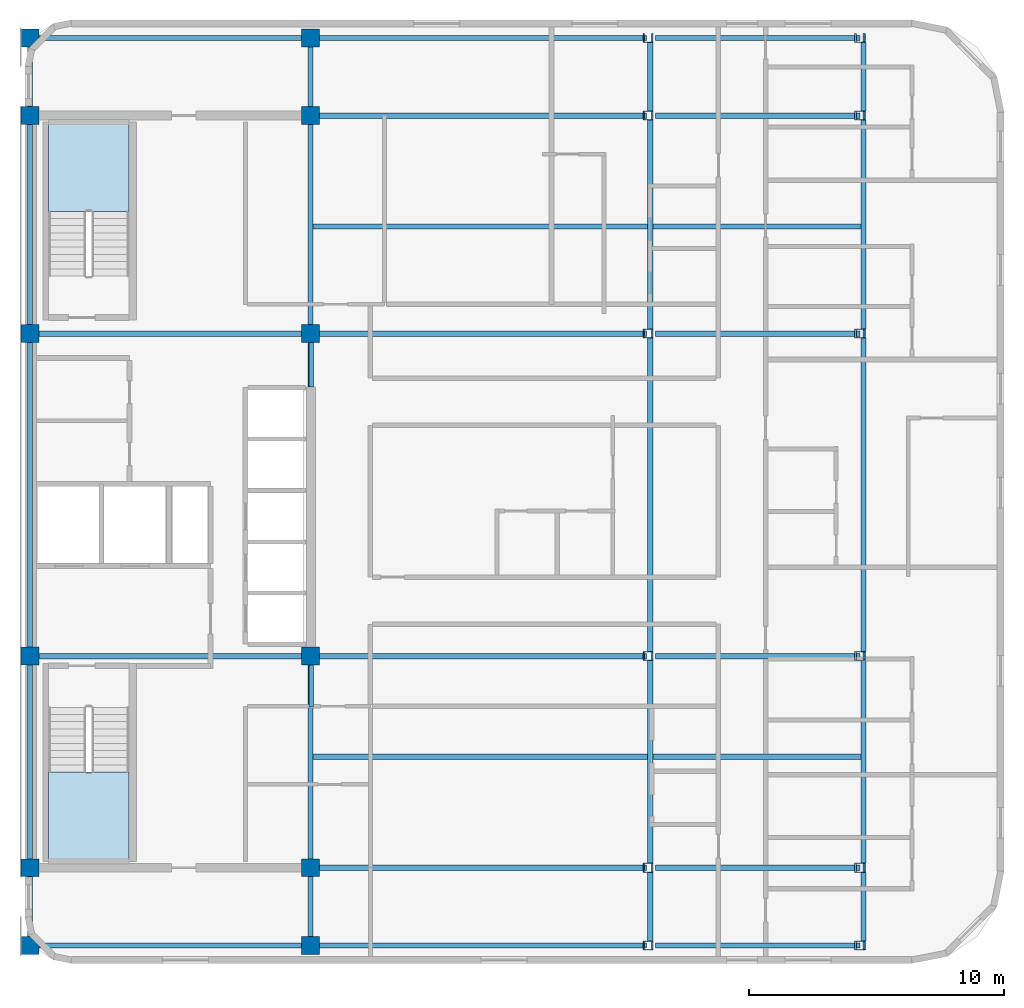
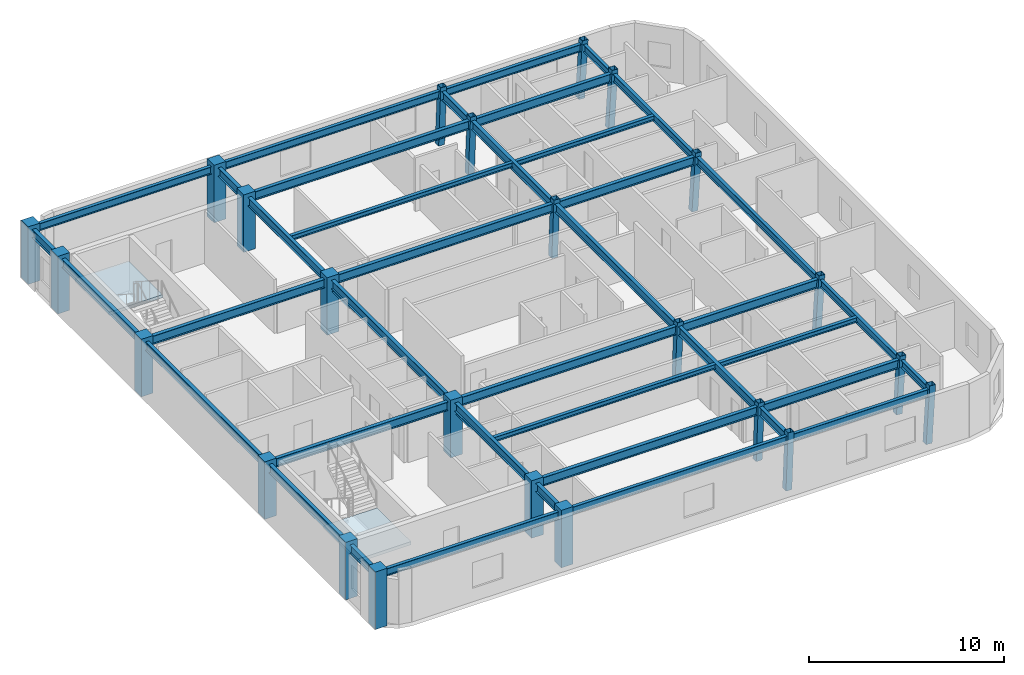
# One storey, part 1 of 7: 42 beams, 24 columns, 2 slabs, 2 elements without a shape of their own.
"""IFC4 building model written with IfcOpenShell, lengths in metres."""

from ifc_helpers import new_model, si_unit, direction, frame, origin, origin_2d, place, context, subcontext, project, spatial, polyline, rectangle, hollow_rectangle, i_section, outline, extrude, material, layer, layer_set, material_profile, profile_set, type_object, element, aggregate, save


model = new_model("IFC4")

# Units and contexts
model_context = context("Model", 3, precision=1e-05, world=origin(), true_north=direction((0.0, 1.0)))
body_context = subcontext(model_context, "Body", "Model", "MODEL_VIEW")
ifc_project = project(units=[si_unit("LENGTHUNIT", "METRE"), si_unit("AREAUNIT", "SQUARE_METRE"), si_unit("VOLUMEUNIT", "CUBIC_METRE"), si_unit("PLANEANGLEUNIT", "RADIAN"), si_unit("MASSUNIT", "GRAM", prefix="KILO")], contexts=[model_context])

# Site, building, storey
site_placement = place(None, origin())
site = spatial("IfcSite", under=ifc_project, at=site_placement, CompositionType="ELEMENT")
building_placement = place(site_placement, origin())
building = spatial("IfcBuilding", under=site, at=building_placement, Name="Ochreholt Gables", CompositionType="ELEMENT")
storey_placement = place(building_placement, frame((0.0, 0.0, 242.39990234375)))
storey = spatial("IfcBuildingStorey", under=building, at=storey_placement, Name="L63", CompositionType="ELEMENT", Elevation=242.39990234375)

# Columns
ifc_material_1 = material(Name="Steel CSA G40.21 350W", Category="steel")
ifc_material_profile_1 = material_profile(ifc_material_1, hollow_rectangle(XDim=0.35595703125, YDim=0.35595703125, WallThickness=0.01611328125, at=origin_2d()), Name="HSS356X356X16")
ifc_profile_set_1 = profile_set([ifc_material_profile_1], Name="Steel CSA G40.21 350W")
column_type_1 = type_object("IfcColumnType", Name="COL-HSS356-RAK", PredefinedType="COLUMN", material=ifc_profile_set_1)
for number, where, z_axis, x_axis, name in (
    (1, (48.419921875, 9.25, 0.0), (0.034971136209, 0.0, 0.999388322742), (0.0, 1.0, 0.0), "L63 Column EMY2"),
    (2, (48.419921875, 17.550048828125, 0.0), (0.034971136209, 0.0, 0.999388322742), (0.0, 1.0, 0.0), "L63 Column EMY3"),
    (3, (48.419921875, 30.199951171875, 0.0), (0.034971136209, 0.0, 0.999388322742), (0.0, 1.0, 0.0), "L63 Column EMY4"),
    (4, (48.419921875, 38.75, 0.0), (0.034971136209, 0.0, 0.999388322742), (0.0, 1.0, 0.0), "L63 Column EMY5"),
):
    element("IfcColumn", number, at=place(storey_placement, frame(where, z_axis=z_axis, x_axis=x_axis)), inside=storey, type_object=column_type_1, Name=name, PredefinedType="COLUMN", context=body_context, shape_type="SweptSolid", body=[
        extrude(hollow_rectangle(XDim=0.35595703125, YDim=0.35595703125, WallThickness=0.01611328125, at=origin_2d()), origin(), (0.0, 0.0, 1.0), 3.602294921875),
    ])
ifc_material_profile_2 = material_profile(ifc_material_1, hollow_rectangle(XDim=0.35595703125, YDim=0.35595703125, WallThickness=0.01611328125, at=origin_2d()), Name="HSS356X356X16")
ifc_profile_set_2 = profile_set([ifc_material_profile_2], Name="Steel CSA G40.21 350W")
column_type_2 = type_object("IfcColumnType", Name="COL-HSS356-RAKE", PredefinedType="COLUMN", material=ifc_profile_set_2)
for number, where, z_axis, x_axis, name in (
    (5, (48.419921875, 6.199951171875, 0.0), (0.034971136209, 0.0, 0.999388322742), (0.0, 1.0, 0.0), "L63 Column EMY1"),
    (6, (48.419921875, 41.800048828125, 0.0), (0.034971136209, 0.0, 0.999388322742), (0.0, 1.0, 0.0), "L63 Column EMY6"),
):
    element("IfcColumn", number, at=place(storey_placement, frame(where, z_axis=z_axis, x_axis=x_axis)), inside=storey, type_object=column_type_2, Name=name, PredefinedType="COLUMN", context=body_context, shape_type="SweptSolid", body=[
        extrude(hollow_rectangle(XDim=0.35595703125, YDim=0.35595703125, WallThickness=0.01611328125, at=origin_2d()), origin(), (0.0, 0.0, 1.0), 3.602294921875),
    ])
for number, where, z_axis, x_axis, name in (
    (7, (56.716064453125, 6.199951171875, 0.0), (0.057884606321, 0.0, 0.998323280481), (0.0, 1.0, 0.0), "L63 Column EEY1"),
    (8, (56.716064453125, 9.25, 0.0), (0.057884606321, 0.0, 0.998323280481), (0.0, 1.0, 0.0), "L63 Column EEY2"),
    (9, (56.716064453125, 17.550048828125, 0.0), (0.057884606321, 0.0, 0.998323280481), (0.0, 1.0, 0.0), "L63 Column EEY3"),
    (10, (56.716064453125, 30.199951171875, 0.0), (0.057884606321, 0.0, 0.998323280481), (0.0, 1.0, 0.0), "L63 Column EEY4"),
    (11, (56.716064453125, 38.75, 0.0), (0.057884606321, 0.0, 0.998323280481), (0.0, 1.0, 0.0), "L63 Column EEY5"),
    (12, (56.716064453125, 41.800048828125, 0.0), (0.057884606321, 0.0, 0.998323280481), (0.0, 1.0, 0.0), "L63 Column EEY6"),
):
    element("IfcColumn", number, at=place(storey_placement, frame(where, z_axis=z_axis, x_axis=x_axis)), inside=storey, type_object=column_type_2, Name=name, PredefinedType="COLUMN", context=body_context, shape_type="SweptSolid", body=[
        extrude(hollow_rectangle(XDim=0.35595703125, YDim=0.35595703125, WallThickness=0.01611328125, at=origin_2d()), origin(), (0.0, 0.0, 1.0), 3.606201171875),
    ])
ifc_material_2 = material(Name="Concrete 50 MPa", Category="concrete")
ifc_material_profile_3 = material_profile(ifc_material_2, rectangle(XDim=0.699951171875, YDim=0.699951171875, at=origin_2d()), Name="RC700X700")
ifc_profile_set_3 = profile_set([ifc_material_profile_3], Name="Concrete 50 MPa")
column_type_3 = type_object("IfcColumnType", Name="COL-RC700-EXT", PredefinedType="COLUMN", material=ifc_profile_set_3)
for number, where, z_axis, x_axis, name in (
    (13, (24.199951171875, 6.199951171875, 0.0), (0.0, 0.0, 1.0), (1.0, 0.0, 0.0), "L63 Column C1Y1"),
    (14, (24.199951171875, 9.25, 0.0), (0.0, 0.0, 1.0), (1.0, 0.0, 0.0), "L63 Column C1Y2"),
    (15, (24.199951171875, 17.550048828125, 0.0), (0.0, 0.0, 1.0), (1.0, 0.0, 0.0), "L63 Column C1Y3"),
    (16, (24.199951171875, 30.199951171875, 0.0), (0.0, 0.0, 1.0), (1.0, 0.0, 0.0), "L63 Column C1Y4"),
    (17, (24.199951171875, 38.75, 0.0), (0.0, 0.0, 1.0), (1.0, 0.0, 0.0), "L63 Column C1Y5"),
    (18, (24.199951171875, 41.800048828125, 0.0), (0.0, 0.0, 1.0), (1.0, 0.0, 0.0), "L63 Column C1Y6"),
    (19, (35.199951171875, 6.199951171875, 0.0), (0.0, 0.0, 1.0), (1.0, 0.0, 0.0), "L63 Column C2Y1"),
    (20, (35.199951171875, 41.800048828125, 0.0), (0.0, 0.0, 1.0), (1.0, 0.0, 0.0), "L63 Column C2Y6"),
):
    element("IfcColumn", number, at=place(storey_placement, frame(where, z_axis=z_axis, x_axis=x_axis)), inside=storey, type_object=column_type_3, Name=name, PredefinedType="COLUMN", context=body_context, shape_type="SweptSolid", body=[
        extrude(rectangle(XDim=0.699951171875, YDim=0.699951171875, at=origin_2d()), origin(), (0.0, 0.0, 1.0), 3.60009765625),
    ])
ifc_material_profile_4 = material_profile(ifc_material_2, rectangle(XDim=0.699951171875, YDim=0.699951171875, at=origin_2d()), Name="RC700X700")
ifc_profile_set_4 = profile_set([ifc_material_profile_4], Name="Concrete 50 MPa")
column_type_4 = type_object("IfcColumnType", Name="COL-RC700-INT", PredefinedType="COLUMN", material=ifc_profile_set_4)
for number, where, z_axis, x_axis, name in (
    (21, (35.199951171875, 9.25, 0.0), (0.0, 0.0, 1.0), (1.0, 0.0, 0.0), "L63 Column C2Y2"),
    (22, (35.199951171875, 17.550048828125, 0.0), (0.0, 0.0, 1.0), (1.0, 0.0, 0.0), "L63 Column C2Y3"),
    (23, (35.199951171875, 30.199951171875, 0.0), (0.0, 0.0, 1.0), (1.0, 0.0, 0.0), "L63 Column C2Y4"),
    (24, (35.199951171875, 38.75, 0.0), (0.0, 0.0, 1.0), (1.0, 0.0, 0.0), "L63 Column C2Y5"),
):
    element("IfcColumn", number, at=place(storey_placement, frame(where, z_axis=z_axis, x_axis=x_axis)), inside=storey, type_object=column_type_4, Name=name, PredefinedType="COLUMN", context=body_context, shape_type="SweptSolid", body=[
        extrude(rectangle(XDim=0.699951171875, YDim=0.699951171875, at=origin_2d()), origin(), (0.0, 0.0, 1.0), 3.60009765625),
    ])

# Beams
ifc_material_profile_5 = material_profile(ifc_material_1, i_section(OverallWidth=0.2109375, OverallDepth=0.5390625, WebThickness=0.01171875, FlangeThickness=0.018798828125, at=origin_2d()), Name="W530X109")
ifc_profile_set_5 = profile_set([ifc_material_profile_5], Name="Steel CSA G40.21 350W")
beam_type_1 = type_object("IfcBeamType", Name="BM-G-W530A", PredefinedType="BEAM", material=ifc_profile_set_5)
beam_1_placement = place(storey_placement, frame((35.549560546875, 9.25, 3.090576171875), z_axis=(1.0, 0.0, 0.0), x_axis=(0.0, 1.0, 0.0)))
element("IfcBeam", 25, at=beam_1_placement, inside=storey, type_object=beam_type_1, Name="L63 Beam TBG-L63-C2EM-Y2", PredefinedType="BEAM", context=body_context, shape_type="SweptSolid", body=[
    extrude(i_section(OverallWidth=0.2109375, OverallDepth=0.5390625, WebThickness=0.01171875, FlangeThickness=0.018798828125, at=origin_2d()), origin(), (0.0, 0.0, 1.0), 12.81884765625),
])
beam_2_placement = place(storey_placement, frame((48.7236328125, 9.25, 3.090576171875), z_axis=(1.0, 0.0, 0.0), x_axis=(0.0, 1.0, 0.0)))
element("IfcBeam", 26, at=beam_2_placement, inside=storey, type_object=beam_type_1, Name="L63 Beam TBG-L63-EMEE-Y2", PredefinedType="BEAM", context=body_context, shape_type="SweptSolid", body=[
    extrude(i_section(OverallWidth=0.2109375, OverallDepth=0.5390625, WebThickness=0.01171875, FlangeThickness=0.018798828125, at=origin_2d()), origin(), (0.0, 0.0, 1.0), 8.023681640625),
])
beam_3_placement = place(storey_placement, frame((24.549560546875, 17.550048828125, 3.090576171875), z_axis=(1.0, 0.0, 0.0), x_axis=(0.0, 1.0, 0.0)))
element("IfcBeam", 27, at=beam_3_placement, inside=storey, type_object=beam_type_1, Name="L63 Beam TBG-L63-C1C2-Y3", PredefinedType="BEAM", context=body_context, shape_type="SweptSolid", body=[
    extrude(i_section(OverallWidth=0.2109375, OverallDepth=0.5390625, WebThickness=0.01171875, FlangeThickness=0.018798828125, at=origin_2d()), origin(), (0.0, 0.0, 1.0), 10.30078125),
])
beam_4_placement = place(storey_placement, frame((35.549560546875, 17.550048828125, 3.090576171875), z_axis=(1.0, 0.0, 0.0), x_axis=(0.0, 1.0, 0.0)))
element("IfcBeam", 28, at=beam_4_placement, inside=storey, type_object=beam_type_1, Name="L63 Beam TBG-L63-C2EM-Y3", PredefinedType="BEAM", context=body_context, shape_type="SweptSolid", body=[
    extrude(i_section(OverallWidth=0.2109375, OverallDepth=0.5390625, WebThickness=0.01171875, FlangeThickness=0.018798828125, at=origin_2d()), origin(), (0.0, 0.0, 1.0), 12.81884765625),
])
beam_5_placement = place(storey_placement, frame((48.7236328125, 17.550048828125, 3.090576171875), z_axis=(1.0, 0.0, 0.0), x_axis=(0.0, 1.0, 0.0)))
element("IfcBeam", 29, at=beam_5_placement, inside=storey, type_object=beam_type_1, Name="L63 Beam TBG-L63-EMEE-Y3", PredefinedType="BEAM", context=body_context, shape_type="SweptSolid", body=[
    extrude(i_section(OverallWidth=0.2109375, OverallDepth=0.5390625, WebThickness=0.01171875, FlangeThickness=0.018798828125, at=origin_2d()), origin(), (0.0, 0.0, 1.0), 8.023681640625),
])
beam_6_placement = place(storey_placement, frame((24.549560546875, 30.199951171875, 3.090576171875), z_axis=(1.0, 0.0, 0.0), x_axis=(0.0, 1.0, 0.0)))
element("IfcBeam", 30, at=beam_6_placement, inside=storey, type_object=beam_type_1, Name="L63 Beam TBG-L63-C1C2-Y4", PredefinedType="BEAM", context=body_context, shape_type="SweptSolid", body=[
    extrude(i_section(OverallWidth=0.2109375, OverallDepth=0.5390625, WebThickness=0.01171875, FlangeThickness=0.018798828125, at=origin_2d()), origin(), (0.0, 0.0, 1.0), 10.30078125),
])
beam_7_placement = place(storey_placement, frame((35.549560546875, 30.199951171875, 3.090576171875), z_axis=(1.0, 0.0, 0.0), x_axis=(0.0, 1.0, 0.0)))
element("IfcBeam", 31, at=beam_7_placement, inside=storey, type_object=beam_type_1, Name="L63 Beam TBG-L63-C2EM-Y4", PredefinedType="BEAM", context=body_context, shape_type="SweptSolid", body=[
    extrude(i_section(OverallWidth=0.2109375, OverallDepth=0.5390625, WebThickness=0.01171875, FlangeThickness=0.018798828125, at=origin_2d()), origin(), (0.0, 0.0, 1.0), 12.81884765625),
])
beam_8_placement = place(storey_placement, frame((48.7236328125, 30.199951171875, 3.090576171875), z_axis=(1.0, 0.0, 0.0), x_axis=(0.0, 1.0, 0.0)))
element("IfcBeam", 32, at=beam_8_placement, inside=storey, type_object=beam_type_1, Name="L63 Beam TBG-L63-EMEE-Y4", PredefinedType="BEAM", context=body_context, shape_type="SweptSolid", body=[
    extrude(i_section(OverallWidth=0.2109375, OverallDepth=0.5390625, WebThickness=0.01171875, FlangeThickness=0.018798828125, at=origin_2d()), origin(), (0.0, 0.0, 1.0), 8.023681640625),
])
beam_9_placement = place(storey_placement, frame((35.549560546875, 38.75, 3.090576171875), z_axis=(1.0, 0.0, 0.0), x_axis=(0.0, 1.0, 0.0)))
element("IfcBeam", 33, at=beam_9_placement, inside=storey, type_object=beam_type_1, Name="L63 Beam TBG-L63-C2EM-Y5", PredefinedType="BEAM", context=body_context, shape_type="SweptSolid", body=[
    extrude(i_section(OverallWidth=0.2109375, OverallDepth=0.5390625, WebThickness=0.01171875, FlangeThickness=0.018798828125, at=origin_2d()), origin(), (0.0, 0.0, 1.0), 12.81884765625),
])
beam_10_placement = place(storey_placement, frame((48.7236328125, 38.75, 3.090576171875), z_axis=(1.0, 0.0, 0.0), x_axis=(0.0, 1.0, 0.0)))
element("IfcBeam", 34, at=beam_10_placement, inside=storey, type_object=beam_type_1, Name="L63 Beam TBG-L63-EMEE-Y5", PredefinedType="BEAM", context=body_context, shape_type="SweptSolid", body=[
    extrude(i_section(OverallWidth=0.2109375, OverallDepth=0.5390625, WebThickness=0.01171875, FlangeThickness=0.018798828125, at=origin_2d()), origin(), (0.0, 0.0, 1.0), 8.023681640625),
])
beam_11_placement = place(storey_placement, frame((24.199951171875, 6.549560546875, 3.090576171875), z_axis=(0.0, 1.0, 0.0), x_axis=(-1.0, 0.0, 0.0)))
element("IfcBeam", 35, at=beam_11_placement, inside=storey, type_object=beam_type_1, Name="L63 Beam TBN-L63-C1-Y1Y2", PredefinedType="BEAM", context=body_context, shape_type="SweptSolid", body=[
    extrude(i_section(OverallWidth=0.2109375, OverallDepth=0.5390625, WebThickness=0.01171875, FlangeThickness=0.018798828125, at=origin_2d()), origin(), (0.0, 0.0, 1.0), 2.350830078125),
])
beam_12_placement = place(storey_placement, frame((24.199951171875, 9.599609375, 3.090576171875), z_axis=(0.0, 1.0, 0.0), x_axis=(-1.0, 0.0, 0.0)))
element("IfcBeam", 36, at=beam_12_placement, inside=storey, type_object=beam_type_1, Name="L63 Beam TBN-L63-C1-Y2Y3", PredefinedType="BEAM", context=body_context, shape_type="SweptSolid", body=[
    extrude(i_section(OverallWidth=0.2109375, OverallDepth=0.5390625, WebThickness=0.01171875, FlangeThickness=0.018798828125, at=origin_2d()), origin(), (0.0, 0.0, 1.0), 7.600830078125),
])
beam_13_placement = place(storey_placement, frame((24.199951171875, 17.899658203125, 3.090576171875), z_axis=(0.0, 1.0, 0.0), x_axis=(-1.0, 0.0, 0.0)))
element("IfcBeam", 37, at=beam_13_placement, inside=storey, type_object=beam_type_1, Name="L63 Beam TBN-L63-C1-Y3Y4", PredefinedType="BEAM", context=body_context, shape_type="SweptSolid", body=[
    extrude(i_section(OverallWidth=0.2109375, OverallDepth=0.5390625, WebThickness=0.01171875, FlangeThickness=0.018798828125, at=origin_2d()), origin(), (0.0, 0.0, 1.0), 11.95068359375),
])
beam_14_placement = place(storey_placement, frame((24.199951171875, 30.549560546875, 3.090576171875), z_axis=(0.0, 1.0, 0.0), x_axis=(-1.0, 0.0, 0.0)))
element("IfcBeam", 38, at=beam_14_placement, inside=storey, type_object=beam_type_1, Name="L63 Beam TBN-L63-C1-Y4Y5", PredefinedType="BEAM", context=body_context, shape_type="SweptSolid", body=[
    extrude(i_section(OverallWidth=0.2109375, OverallDepth=0.5390625, WebThickness=0.01171875, FlangeThickness=0.018798828125, at=origin_2d()), origin(), (0.0, 0.0, 1.0), 7.850830078125),
])
for number, where, z_axis, x_axis, name in (
    (39, (24.199951171875, 39.099609375, 3.090576171875), (0.0, 1.0, 0.0), (-1.0, 0.0, 0.0), "L63 Beam TBN-L63-C1-Y5Y6"),
    (40, (35.199951171875, 6.549560546875, 3.090576171875), (0.0, 1.0, 0.0), (-1.0, 0.0, 0.0), "L63 Beam TBN-L63-C2-Y1Y2"),
):
    element("IfcBeam", number, at=place(storey_placement, frame(where, z_axis=z_axis, x_axis=x_axis)), inside=storey, type_object=beam_type_1, Name=name, PredefinedType="BEAM", context=body_context, shape_type="SweptSolid", body=[
        extrude(i_section(OverallWidth=0.2109375, OverallDepth=0.5390625, WebThickness=0.01171875, FlangeThickness=0.018798828125, at=origin_2d()), origin(), (0.0, 0.0, 1.0), 2.350830078125),
    ])
beam_15_placement = place(storey_placement, frame((35.199951171875, 9.599609375, 3.090576171875), z_axis=(0.0, 1.0, 0.0), x_axis=(-1.0, 0.0, 0.0)))
element("IfcBeam", 41, at=beam_15_placement, inside=storey, type_object=beam_type_1, Name="L63 Beam TBN-L63-C2-Y2Y3", PredefinedType="BEAM", context=body_context, shape_type="SweptSolid", body=[
    extrude(i_section(OverallWidth=0.2109375, OverallDepth=0.5390625, WebThickness=0.01171875, FlangeThickness=0.018798828125, at=origin_2d()), origin(), (0.0, 0.0, 1.0), 7.600830078125),
])
beam_16_placement = place(storey_placement, frame((35.199951171875, 17.899658203125, 3.090576171875), z_axis=(0.0, 1.0, 0.0), x_axis=(-1.0, 0.0, 0.0)))
element("IfcBeam", 42, at=beam_16_placement, inside=storey, type_object=beam_type_1, Name="L63 Beam TBN-L63-C2-Y3Y4", PredefinedType="BEAM", context=body_context, shape_type="SweptSolid", body=[
    extrude(i_section(OverallWidth=0.2109375, OverallDepth=0.5390625, WebThickness=0.01171875, FlangeThickness=0.018798828125, at=origin_2d()), origin(), (0.0, 0.0, 1.0), 11.95068359375),
])
beam_17_placement = place(storey_placement, frame((35.199951171875, 30.549560546875, 3.090576171875), z_axis=(0.0, 1.0, 0.0), x_axis=(-1.0, 0.0, 0.0)))
element("IfcBeam", 43, at=beam_17_placement, inside=storey, type_object=beam_type_1, Name="L63 Beam TBN-L63-C2-Y4Y5", PredefinedType="BEAM", context=body_context, shape_type="SweptSolid", body=[
    extrude(i_section(OverallWidth=0.2109375, OverallDepth=0.5390625, WebThickness=0.01171875, FlangeThickness=0.018798828125, at=origin_2d()), origin(), (0.0, 0.0, 1.0), 7.850830078125),
])
beam_18_placement = place(storey_placement, frame((35.199951171875, 39.099609375, 3.090576171875), z_axis=(0.0, 1.0, 0.0), x_axis=(-1.0, 0.0, 0.0)))
element("IfcBeam", 44, at=beam_18_placement, inside=storey, type_object=beam_type_1, Name="L63 Beam TBN-L63-C2-Y5Y6", PredefinedType="BEAM", context=body_context, shape_type="SweptSolid", body=[
    extrude(i_section(OverallWidth=0.2109375, OverallDepth=0.5390625, WebThickness=0.01171875, FlangeThickness=0.018798828125, at=origin_2d()), origin(), (0.0, 0.0, 1.0), 2.350830078125),
])
beam_19_placement = place(storey_placement, frame((48.52880859375, 6.377685546875, 3.090576171875), z_axis=(0.0, 1.0, 0.0), x_axis=(-1.0, 0.0, 0.0)))
element("IfcBeam", 45, at=beam_19_placement, inside=storey, type_object=beam_type_1, Name="L63 Beam TBN-L63-EM-Y1Y2", PredefinedType="BEAM", context=body_context, shape_type="SweptSolid", body=[
    extrude(i_section(OverallWidth=0.2109375, OverallDepth=0.5390625, WebThickness=0.01171875, FlangeThickness=0.018798828125, at=origin_2d()), origin(), (0.0, 0.0, 1.0), 2.69482421875),
])
beam_20_placement = place(storey_placement, frame((48.52880859375, 9.427490234375, 3.090576171875), z_axis=(0.0, 1.0, 0.0), x_axis=(-1.0, 0.0, 0.0)))
element("IfcBeam", 46, at=beam_20_placement, inside=storey, type_object=beam_type_1, Name="L63 Beam TBN-L63-EM-Y2Y3", PredefinedType="BEAM", context=body_context, shape_type="SweptSolid", body=[
    extrude(i_section(OverallWidth=0.2109375, OverallDepth=0.5390625, WebThickness=0.01171875, FlangeThickness=0.018798828125, at=origin_2d()), origin(), (0.0, 0.0, 1.0), 7.94482421875),
])
beam_21_placement = place(storey_placement, frame((48.52880859375, 17.7275390625, 3.090576171875), z_axis=(0.0, 1.0, 0.0), x_axis=(-1.0, 0.0, 0.0)))
element("IfcBeam", 47, at=beam_21_placement, inside=storey, type_object=beam_type_1, Name="L63 Beam TBN-L63-EM-Y3Y4", PredefinedType="BEAM", context=body_context, shape_type="SweptSolid", body=[
    extrude(i_section(OverallWidth=0.2109375, OverallDepth=0.5390625, WebThickness=0.01171875, FlangeThickness=0.018798828125, at=origin_2d()), origin(), (0.0, 0.0, 1.0), 12.294921875),
])
beam_22_placement = place(storey_placement, frame((48.52880859375, 30.377685546875, 3.090576171875), z_axis=(0.0, 1.0, 0.0), x_axis=(-1.0, 0.0, 0.0)))
element("IfcBeam", 48, at=beam_22_placement, inside=storey, type_object=beam_type_1, Name="L63 Beam TBN-L63-EM-Y4Y5", PredefinedType="BEAM", context=body_context, shape_type="SweptSolid", body=[
    extrude(i_section(OverallWidth=0.2109375, OverallDepth=0.5390625, WebThickness=0.01171875, FlangeThickness=0.018798828125, at=origin_2d()), origin(), (0.0, 0.0, 1.0), 8.19482421875),
])
beam_23_placement = place(storey_placement, frame((48.52880859375, 38.927490234375, 3.090576171875), z_axis=(0.0, 1.0, 0.0), x_axis=(-1.0, 0.0, 0.0)))
element("IfcBeam", 49, at=beam_23_placement, inside=storey, type_object=beam_type_1, Name="L63 Beam TBN-L63-EM-Y5Y6", PredefinedType="BEAM", context=body_context, shape_type="SweptSolid", body=[
    extrude(i_section(OverallWidth=0.2109375, OverallDepth=0.5390625, WebThickness=0.01171875, FlangeThickness=0.018798828125, at=origin_2d()), origin(), (0.0, 0.0, 1.0), 2.69482421875),
])
ifc_material_profile_6 = material_profile(ifc_material_1, i_section(OverallWidth=0.202880859375, OverallDepth=0.302978515625, WebThickness=0.007568359375, FlangeThickness=0.01318359375, at=origin_2d()), Name="W310X60")
ifc_profile_set_6 = profile_set([ifc_material_profile_6], Name="Steel CSA G40.21 350W")
beam_type_2 = type_object("IfcBeamType", Name="BM-J-W310", PredefinedType="JOIST", material=ifc_profile_set_6)
beam_24_placement = place(storey_placement, frame((35.30517578125, 13.60009765625, 3.20849609375), z_axis=(1.0, 0.0, 0.0), x_axis=(0.0, 1.0, 0.0)))
element("IfcBeam", 50, at=beam_24_placement, inside=storey, type_object=beam_type_2, Name="L63 Beam TBJ-L63-J1-C2EM", PredefinedType="JOIST", context=body_context, shape_type="SweptSolid", body=[
    extrude(i_section(OverallWidth=0.202880859375, OverallDepth=0.302978515625, WebThickness=0.007568359375, FlangeThickness=0.01318359375, at=origin_2d()), origin(), (0.0, 0.0, 1.0), 13.118408203125),
])
beam_25_placement = place(storey_placement, frame((48.6337890625, 13.60009765625, 3.20849609375), z_axis=(1.0, 0.0, 0.0), x_axis=(0.0, 1.0, 0.0)))
element("IfcBeam", 51, at=beam_25_placement, inside=storey, type_object=beam_type_2, Name="L63 Beam TBJ-L63-J1-EMEE", PredefinedType="JOIST", context=body_context, shape_type="SweptSolid", body=[
    extrude(i_section(OverallWidth=0.202880859375, OverallDepth=0.302978515625, WebThickness=0.007568359375, FlangeThickness=0.01318359375, at=origin_2d()), origin(), (0.0, 0.0, 1.0), 8.1669921875),
])
beam_26_placement = place(storey_placement, frame((35.30517578125, 34.39990234375, 3.20849609375), z_axis=(1.0, 0.0, 0.0), x_axis=(0.0, 1.0, 0.0)))
element("IfcBeam", 52, at=beam_26_placement, inside=storey, type_object=beam_type_2, Name="L63 Beam TBJ-L63-J2-C2EM", PredefinedType="JOIST", context=body_context, shape_type="SweptSolid", body=[
    extrude(i_section(OverallWidth=0.202880859375, OverallDepth=0.302978515625, WebThickness=0.007568359375, FlangeThickness=0.01318359375, at=origin_2d()), origin(), (0.0, 0.0, 1.0), 13.118408203125),
])
beam_27_placement = place(storey_placement, frame((48.6337890625, 34.39990234375, 3.20849609375), z_axis=(1.0, 0.0, 0.0), x_axis=(0.0, 1.0, 0.0)))
element("IfcBeam", 53, at=beam_27_placement, inside=storey, type_object=beam_type_2, Name="L63 Beam TBJ-L63-J2-EMEE", PredefinedType="JOIST", context=body_context, shape_type="SweptSolid", body=[
    extrude(i_section(OverallWidth=0.202880859375, OverallDepth=0.302978515625, WebThickness=0.007568359375, FlangeThickness=0.01318359375, at=origin_2d()), origin(), (0.0, 0.0, 1.0), 8.1669921875),
])
ifc_material_profile_7 = material_profile(ifc_material_1, i_section(OverallWidth=0.1650390625, OverallDepth=0.200927734375, WebThickness=0.006103515625, FlangeThickness=0.01025390625, at=origin_2d()), Name="W200X36")
ifc_profile_set_7 = profile_set([ifc_material_profile_7], Name="Steel CSA G40.21 350W")
beam_type_3 = type_object("IfcBeamType", Name="BM-LIN-W200", PredefinedType="LINTEL", material=ifc_profile_set_7)
beam_28_placement = place(storey_placement, frame((35.22509765625, 15.550048828125, 2.720703125), z_axis=(0.0, 1.0, 0.0), x_axis=(-1.0, 0.0, 0.0)))
element("IfcBeam", 54, at=beam_28_placement, inside=storey, type_object=beam_type_3, Name="L63 Core Coupling Lintel CPS", PredefinedType="LINTEL", context=body_context, shape_type="SweptSolid", body=[
    extrude(i_section(OverallWidth=0.1650390625, OverallDepth=0.200927734375, WebThickness=0.006103515625, FlangeThickness=0.01025390625, at=origin_2d()), origin(), (0.0, 0.0, 1.0), 1.64990234375),
])
beam_29_placement = place(storey_placement, frame((35.22509765625, 28.10009765625, 2.720703125), z_axis=(0.0, 1.0, 0.0), x_axis=(-1.0, 0.0, 0.0)))
element("IfcBeam", 55, at=beam_29_placement, inside=storey, type_object=beam_type_3, Name="L63 Core Coupling Lintel CPN", PredefinedType="LINTEL", context=body_context, shape_type="SweptSolid", body=[
    extrude(i_section(OverallWidth=0.1650390625, OverallDepth=0.200927734375, WebThickness=0.006103515625, FlangeThickness=0.01025390625, at=origin_2d()), origin(), (0.0, 0.0, 1.0), 1.75),
])
ifc_material_profile_8 = material_profile(ifc_material_1, i_section(OverallWidth=0.19189453125, OverallDepth=0.462890625, WebThickness=0.010498046875, FlangeThickness=0.017578125, at=origin_2d()), Name="W460X89")
ifc_profile_set_8 = profile_set([ifc_material_profile_8], Name="Steel CSA G40.21 350W")
beam_type_4 = type_object("IfcBeamType", Name="BM-SP-W460A", PredefinedType="SPANDREL", material=ifc_profile_set_8)
beam_30_placement = place(storey_placement, frame((24.549560546875, 6.199951171875, 3.128662109375), z_axis=(1.0, 0.0, 0.0), x_axis=(0.0, 1.0, 0.0)))
element("IfcBeam", 56, at=beam_30_placement, inside=storey, type_object=beam_type_4, Name="L63 Beam TBG-L63-C1C2-Y1", PredefinedType="SPANDREL", context=body_context, shape_type="SweptSolid", body=[
    extrude(i_section(OverallWidth=0.19189453125, OverallDepth=0.462890625, WebThickness=0.010498046875, FlangeThickness=0.017578125, at=origin_2d()), origin(), (0.0, 0.0, 1.0), 10.30078125),
])
beam_31_placement = place(storey_placement, frame((35.549560546875, 6.199951171875, 3.128662109375), z_axis=(1.0, 0.0, 0.0), x_axis=(0.0, 1.0, 0.0)))
element("IfcBeam", 57, at=beam_31_placement, inside=storey, type_object=beam_type_4, Name="L63 Beam TBG-L63-C2EM-Y1", PredefinedType="SPANDREL", context=body_context, shape_type="SweptSolid", body=[
    extrude(i_section(OverallWidth=0.19189453125, OverallDepth=0.462890625, WebThickness=0.010498046875, FlangeThickness=0.017578125, at=origin_2d()), origin(), (0.0, 0.0, 1.0), 12.81884765625),
])
beam_32_placement = place(storey_placement, frame((48.7236328125, 6.199951171875, 3.128662109375), z_axis=(1.0, 0.0, 0.0), x_axis=(0.0, 1.0, 0.0)))
element("IfcBeam", 58, at=beam_32_placement, inside=storey, type_object=beam_type_4, Name="L63 Beam TBG-L63-EMEE-Y1", PredefinedType="SPANDREL", context=body_context, shape_type="SweptSolid", body=[
    extrude(i_section(OverallWidth=0.19189453125, OverallDepth=0.462890625, WebThickness=0.010498046875, FlangeThickness=0.017578125, at=origin_2d()), origin(), (0.0, 0.0, 1.0), 8.023681640625),
])
beam_33_placement = place(storey_placement, frame((24.549560546875, 41.800048828125, 3.128662109375), z_axis=(1.0, 0.0, 0.0), x_axis=(0.0, 1.0, 0.0)))
element("IfcBeam", 59, at=beam_33_placement, inside=storey, type_object=beam_type_4, Name="L63 Beam TBG-L63-C1C2-Y6", PredefinedType="SPANDREL", context=body_context, shape_type="SweptSolid", body=[
    extrude(i_section(OverallWidth=0.19189453125, OverallDepth=0.462890625, WebThickness=0.010498046875, FlangeThickness=0.017578125, at=origin_2d()), origin(), (0.0, 0.0, 1.0), 10.30078125),
])
beam_34_placement = place(storey_placement, frame((35.549560546875, 41.800048828125, 3.128662109375), z_axis=(1.0, 0.0, 0.0), x_axis=(0.0, 1.0, 0.0)))
element("IfcBeam", 60, at=beam_34_placement, inside=storey, type_object=beam_type_4, Name="L63 Beam TBG-L63-C2EM-Y6", PredefinedType="SPANDREL", context=body_context, shape_type="SweptSolid", body=[
    extrude(i_section(OverallWidth=0.19189453125, OverallDepth=0.462890625, WebThickness=0.010498046875, FlangeThickness=0.017578125, at=origin_2d()), origin(), (0.0, 0.0, 1.0), 12.81884765625),
])
beam_35_placement = place(storey_placement, frame((48.7236328125, 41.800048828125, 3.128662109375), z_axis=(1.0, 0.0, 0.0), x_axis=(0.0, 1.0, 0.0)))
element("IfcBeam", 61, at=beam_35_placement, inside=storey, type_object=beam_type_4, Name="L63 Beam TBG-L63-EMEE-Y6", PredefinedType="SPANDREL", context=body_context, shape_type="SweptSolid", body=[
    extrude(i_section(OverallWidth=0.19189453125, OverallDepth=0.462890625, WebThickness=0.010498046875, FlangeThickness=0.017578125, at=origin_2d()), origin(), (0.0, 0.0, 1.0), 8.023681640625),
])
beam_36_placement = place(storey_placement, frame((56.896484375, 6.377685546875, 3.128662109375), z_axis=(0.0, 1.0, 0.0), x_axis=(-1.0, 0.0, 0.0)))
element("IfcBeam", 62, at=beam_36_placement, inside=storey, type_object=beam_type_4, Name="L63 Beam TBN-L63-EE-Y1Y2", PredefinedType="SPANDREL", context=body_context, shape_type="SweptSolid", body=[
    extrude(i_section(OverallWidth=0.19189453125, OverallDepth=0.462890625, WebThickness=0.010498046875, FlangeThickness=0.017578125, at=origin_2d()), origin(), (0.0, 0.0, 1.0), 2.69482421875),
])
beam_37_placement = place(storey_placement, frame((56.896484375, 9.427490234375, 3.128662109375), z_axis=(0.0, 1.0, 0.0), x_axis=(-1.0, 0.0, 0.0)))
element("IfcBeam", 63, at=beam_37_placement, inside=storey, type_object=beam_type_4, Name="L63 Beam TBN-L63-EE-Y2Y3", PredefinedType="SPANDREL", context=body_context, shape_type="SweptSolid", body=[
    extrude(i_section(OverallWidth=0.19189453125, OverallDepth=0.462890625, WebThickness=0.010498046875, FlangeThickness=0.017578125, at=origin_2d()), origin(), (0.0, 0.0, 1.0), 7.94482421875),
])
beam_38_placement = place(storey_placement, frame((56.896484375, 17.7275390625, 3.128662109375), z_axis=(0.0, 1.0, 0.0), x_axis=(-1.0, 0.0, 0.0)))
element("IfcBeam", 64, at=beam_38_placement, inside=storey, type_object=beam_type_4, Name="L63 Beam TBN-L63-EE-Y3Y4", PredefinedType="SPANDREL", context=body_context, shape_type="SweptSolid", body=[
    extrude(i_section(OverallWidth=0.19189453125, OverallDepth=0.462890625, WebThickness=0.010498046875, FlangeThickness=0.017578125, at=origin_2d()), origin(), (0.0, 0.0, 1.0), 12.294921875),
])
beam_39_placement = place(storey_placement, frame((56.896484375, 30.377685546875, 3.128662109375), z_axis=(0.0, 1.0, 0.0), x_axis=(-1.0, 0.0, 0.0)))
element("IfcBeam", 65, at=beam_39_placement, inside=storey, type_object=beam_type_4, Name="L63 Beam TBN-L63-EE-Y4Y5", PredefinedType="SPANDREL", context=body_context, shape_type="SweptSolid", body=[
    extrude(i_section(OverallWidth=0.19189453125, OverallDepth=0.462890625, WebThickness=0.010498046875, FlangeThickness=0.017578125, at=origin_2d()), origin(), (0.0, 0.0, 1.0), 8.19482421875),
])
beam_40_placement = place(storey_placement, frame((56.896484375, 38.927490234375, 3.128662109375), z_axis=(0.0, 1.0, 0.0), x_axis=(-1.0, 0.0, 0.0)))
element("IfcBeam", 66, at=beam_40_placement, inside=storey, type_object=beam_type_4, Name="L63 Beam TBN-L63-EE-Y5Y6", PredefinedType="SPANDREL", context=body_context, shape_type="SweptSolid", body=[
    extrude(i_section(OverallWidth=0.19189453125, OverallDepth=0.462890625, WebThickness=0.010498046875, FlangeThickness=0.017578125, at=origin_2d()), origin(), (0.0, 0.0, 1.0), 2.69482421875),
])

# Stair, slab
ifc_material_3 = material(Name="Concrete 40 MPa", Category="concrete")
stair_type_1 = type_object("IfcStairType", Name="STAIR-CORE-ST-1", PredefinedType="HALF_TURN_STAIR", material=ifc_material_3)
stair_1_placement = place(storey_placement, origin())
stair_1 = element("IfcStair", 67, at=stair_1_placement, inside=storey, type_object=stair_type_1, Name="L63 Core Exit Stair 1", PredefinedType="HALF_TURN_STAIR")
ifc_layer = layer(ifc_material_3, 0.199951171875, Name="Concrete 40 MPa")
ifc_layer_set = layer_set([ifc_layer], Name="Concrete 40 MPa")
slab_type = type_object("IfcSlabType", Name="LANDING-RC200", PredefinedType="LANDING", material=ifc_layer_set)
slab_1_placement = place(storey_placement, frame((0.0, 0.0, 1.60009765625)))
slab_1 = element("IfcSlab", 68, at=slab_1_placement, type_object=slab_type, Name="ST-1 landing 1", PredefinedType="LANDING", context=body_context, shape_type="SweptSolid", body=[
    extrude(outline(polyline([(24.919921875, 13.001953125), (24.919921875, 9.52001953125), (28.080078125, 9.52001953125), (28.080078125, 13.001953125), (24.919921875, 13.001953125)])), origin(), (0.0, 0.0, 1.0), 0.199951171875),
])
aggregate(stair_1, [slab_1])

stair_type_2 = type_object("IfcStairType", Name="STAIR-CORE-ST-2", PredefinedType="HALF_TURN_STAIR", material=ifc_material_3)
stair_2_placement = place(storey_placement, origin())
stair_2 = element("IfcStair", 69, at=stair_2_placement, inside=storey, type_object=stair_type_2, Name="L63 Core Exit Stair 2", PredefinedType="HALF_TURN_STAIR")
slab_2_placement = place(storey_placement, frame((0.0, 0.0, 1.60009765625)))
slab_2 = element("IfcSlab", 70, at=slab_2_placement, type_object=slab_type, Name="ST-2 landing 1", PredefinedType="LANDING", context=body_context, shape_type="SweptSolid", body=[
    extrude(outline(polyline([(28.080078125, 34.998046875), (28.080078125, 38.47998046875), (24.919921875, 38.47998046875), (24.919921875, 34.998046875), (28.080078125, 34.998046875)])), origin(), (0.0, 0.0, 1.0), 0.199951171875),
])
aggregate(stair_2, [slab_2])

save(model, "model.ifc")
